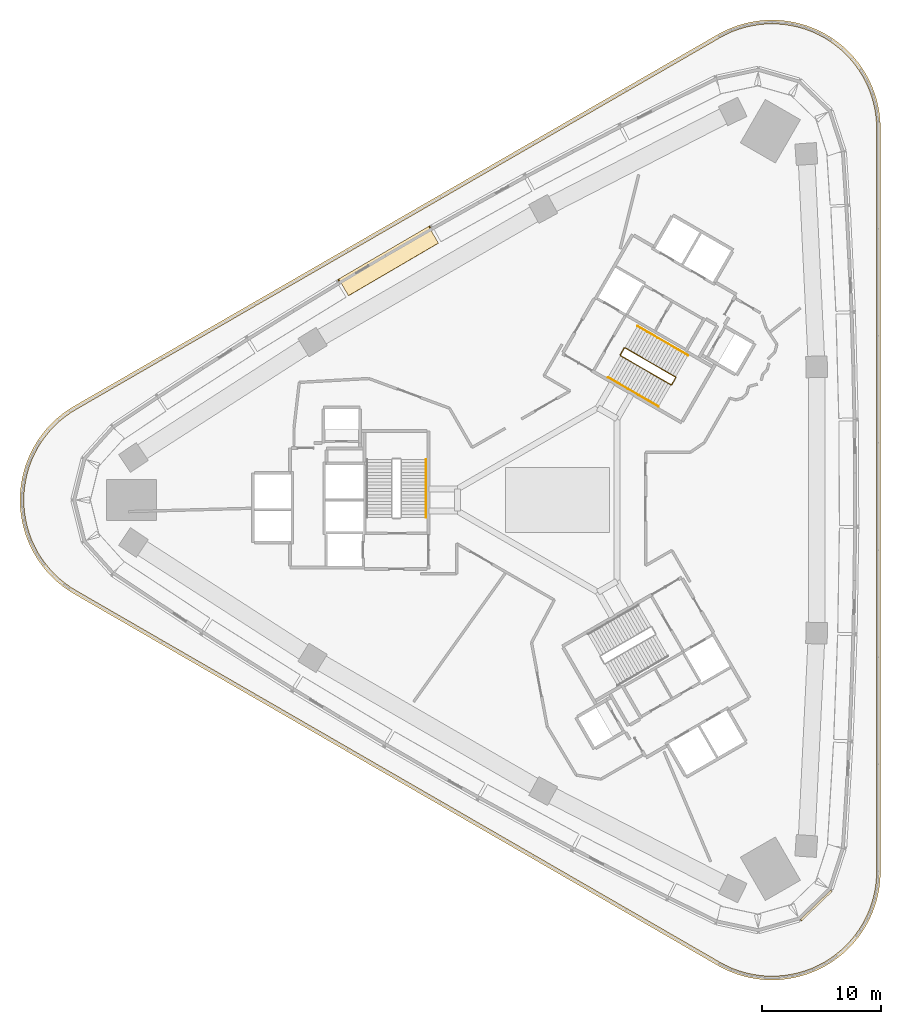
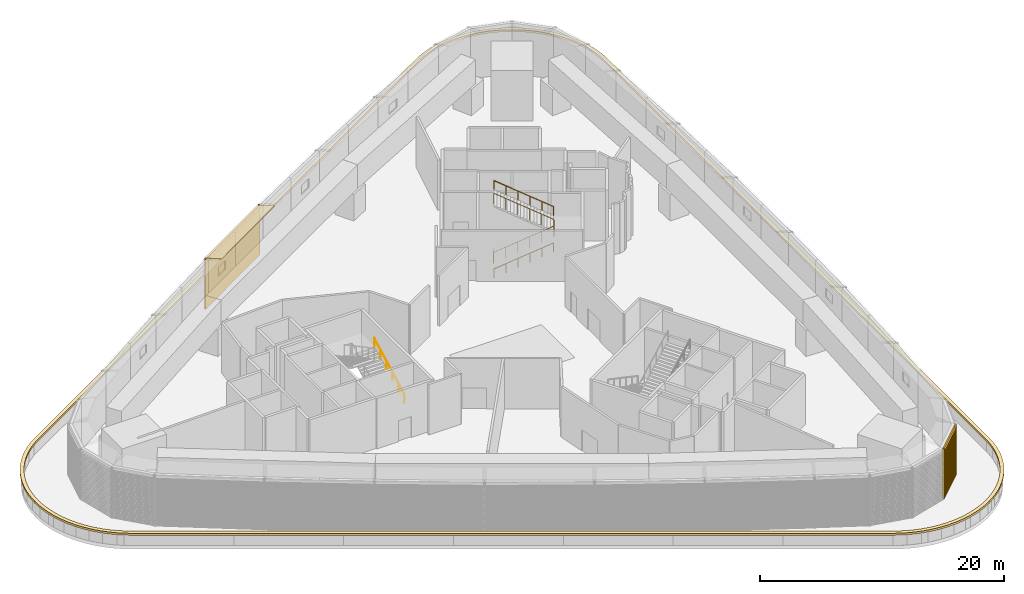
# One storey, part 10 of 11: 4 coverings, 4 railings.
"""IFC4 building model written with IfcOpenShell, lengths in metres."""

import ifcopenshell
import ifcopenshell.guid

model = None  # the IFC model being written
_history = None  # IfcOwnerHistory: only IFC2X3 demands one
_inside = {}  # id of a spatial element -> (the spatial element, [elements in it])
_under = {}  # id of a project, library or spatial element -> (it, [spatial elements below it])
_declared = {}  # id of a project -> (the project, [libraries it declares])
_typed = {}  # id of a type object -> (the type object, [elements of that type])
_made_of = {}  # id of a material, layer set ... -> (it, [elements and type objects made of it])


def new_model(schema):
    """Start an empty IFC model of exactly this schema.

    Asked for "IFC4X3", IfcOpenShell would pick the latest addendum, in which some entities
    have other attributes; the version numbers below select the first issue.
    IFC2X3 requires an IfcOwnerHistory on every rooted entity: one is made here for all.
    """
    global model, _history
    if schema == "IFC4X3":
        model = ifcopenshell.file(schema_version=(4, 3, 0, 0))
    else:
        model = ifcopenshell.file(schema=schema)
    _inside.clear()
    _under.clear()
    _declared.clear()
    _typed.clear()
    _made_of.clear()
    _history = None
    if model.schema == "IFC2X3":
        org = make("IfcOrganization", Name="unknown")
        user = make(
            "IfcPersonAndOrganization",
            ThePerson=make("IfcPerson", FamilyName="unknown"),
            TheOrganization=org,
        )
        app = make(
            "IfcApplication",
            ApplicationDeveloper=org,
            Version="unknown",
            ApplicationFullName="unknown",
            ApplicationIdentifier="unknown",
        )
        _history = make(
            "IfcOwnerHistory",
            OwningUser=user,
            OwningApplication=app,
            ChangeAction="ADDED",
            CreationDate=0,
        )
    return model


def make(cls, **values):
    """One entity of the class cls with the attributes given. An attribute that is None is left unset."""
    return model.create_entity(
        cls, **{name: value for name, value in values.items() if value is not None}
    )


def rooted(cls, **values):
    """An entity with a GlobalId (a new one), such as an element, a storey or a relation."""
    return make(cls, GlobalId=ifcopenshell.guid.new(), OwnerHistory=_history, **values)


def si_unit(unit_type, name, prefix=None):
    """IfcSIUnit, for example si_unit("LENGTHUNIT", "METRE", prefix="MILLI")."""
    return make("IfcSIUnit", UnitType=unit_type, Prefix=prefix, Name=name)


def assignment(units):
    """IfcUnitAssignment: the units of a project."""
    return None if units is None else make("IfcUnitAssignment", Units=units)


def point(xyz):
    """IfcCartesianPoint."""
    return None if xyz is None else make("IfcCartesianPoint", Coordinates=xyz)


def direction(xyz):
    """IfcDirection."""
    return None if xyz is None else make("IfcDirection", DirectionRatios=xyz)


def frame(location, z_axis=None, x_axis=None):
    """IfcAxis2Placement3D, a coordinate frame: its origin and axes. An axis left out is left unset."""
    return make(
        "IfcAxis2Placement3D",
        Location=point(location),
        Axis=direction(z_axis),
        RefDirection=direction(x_axis),
    )


def frame_2d(location, x_axis=None):
    """IfcAxis2Placement2D, a coordinate frame in the plane: its origin and x axis."""
    return make(
        "IfcAxis2Placement2D", Location=point(location), RefDirection=direction(x_axis)
    )


def origin():
    """The frame at (0, 0, 0) with its axes left unset."""
    return frame((0.0, 0.0, 0.0))


def origin_2d():
    """The frame at (0, 0) in the plane with its x axis left unset."""
    return frame_2d((0.0, 0.0))


def place(relative_to, where):
    """IfcLocalPlacement: puts the frame where relative to a parent placement (None: the world)."""
    return make(
        "IfcLocalPlacement", PlacementRelTo=relative_to, RelativePlacement=where
    )


def context(
    kind, dimensions, precision=None, world=None, true_north=None, identifier=None
):
    """IfcGeometricRepresentationContext, for example the 3D "Model" context."""
    return make(
        "IfcGeometricRepresentationContext",
        ContextIdentifier=identifier,
        ContextType=kind,
        CoordinateSpaceDimension=dimensions,
        Precision=precision,
        WorldCoordinateSystem=world,
        TrueNorth=true_north,
    )


def subcontext(parent, identifier, kind, view, scale=None):
    """IfcGeometricRepresentationSubContext, for example "Body" below "Model"."""
    return make(
        "IfcGeometricRepresentationSubContext",
        ContextIdentifier=identifier,
        ContextType=kind,
        ParentContext=parent,
        TargetScale=scale,
        TargetView=view,
    )


def project(units=None, contexts=None):
    """IfcProject with its units and contexts."""
    return rooted(
        "IfcProject",
        Name="project",
        RepresentationContexts=contexts,
        UnitsInContext=assignment(units),
    )


def spatial(cls, under=None, at=None, **own):
    """A site, building, storey or space (cls), placed at a placement, below another one or the project."""
    s = rooted(cls, ObjectPlacement=at, **own)
    if under is not None:
        _under.setdefault(under.id(), (under, []))[1].append(s)
    return s


def polyline(points):
    """IfcPolyline through the points."""
    return make("IfcPolyline", Points=[point(p) for p in points])


def profile(cls, at=None, kind="AREA", **sizes):
    """A parametric profile (cls). Its sizes go by their IFC names, for example OverallWidth=200.0."""
    return make(cls, ProfileType=kind, Position=at, **sizes)


def rectangle(**sizes):
    """IfcRectangleProfileDef."""
    return profile("IfcRectangleProfileDef", **sizes)


def circle(**sizes):
    """IfcCircleProfileDef."""
    return profile("IfcCircleProfileDef", **sizes)


def outline(outer, holes=None, kind="AREA"):
    """IfcArbitraryClosedProfileDef: a profile drawn as a closed curve; with holes, ...WithVoids."""
    if holes is None:
        return make("IfcArbitraryClosedProfileDef", ProfileType=kind, OuterCurve=outer)
    return make(
        "IfcArbitraryProfileDefWithVoids",
        ProfileType=kind,
        OuterCurve=outer,
        InnerCurves=holes,
    )


def extrude(swept, where, along, depth):
    """IfcExtrudedAreaSolid: the profile swept, set in the frame where, extruded along a direction by depth."""
    return make(
        "IfcExtrudedAreaSolid",
        SweptArea=swept,
        Position=where,
        ExtrudedDirection=direction(along),
        Depth=depth,
    )


def shape(context_of_items, identifier, shape_type, items):
    """IfcShapeRepresentation: the items that make up one representation, for example the "Body"."""
    return make(
        "IfcShapeRepresentation",
        ContextOfItems=context_of_items,
        RepresentationIdentifier=identifier,
        RepresentationType=shape_type,
        Items=items,
    )


def source(mapping_origin, context_of_items, identifier, shape_type, items):
    """IfcRepresentationMap: a shape defined once, which mapped items show again and again."""
    return make(
        "IfcRepresentationMap",
        MappingOrigin=mapping_origin,
        MappedRepresentation=shape(context_of_items, identifier, shape_type, items),
    )


def transform(
    local_origin,
    x_axis=None,
    y_axis=None,
    z_axis=None,
    scale=None,
    scale2=None,
    scale3=None,
    uniform=True,
):
    """IfcCartesianTransformationOperator3D, or its non-uniform kind. x_axis, y_axis, z_axis: its Axis1, 2, 3."""
    if uniform:
        return make(
            "IfcCartesianTransformationOperator3D",
            Axis1=direction(x_axis),
            Axis2=direction(y_axis),
            LocalOrigin=point(local_origin),
            Scale=scale,
            Axis3=direction(z_axis),
        )
    return make(
        "IfcCartesianTransformationOperator3DnonUniform",
        Axis1=direction(x_axis),
        Axis2=direction(y_axis),
        LocalOrigin=point(local_origin),
        Scale=scale,
        Axis3=direction(z_axis),
        Scale2=scale2,
        Scale3=scale3,
    )


def mapped(mapping_source, mapping_target):
    """IfcMappedItem: shows the shape of a source again, moved by a transform."""
    return make(
        "IfcMappedItem", MappingSource=mapping_source, MappingTarget=mapping_target
    )


def material(Name=None, Category=None):
    """IfcMaterial."""
    return make("IfcMaterial", Name=Name, Category=Category)


def layer(
    of_material, thickness, ventilated=None, Name=None, Category=None, Priority=None
):
    """IfcMaterialLayer: one layer of a wall or slab, of a material (None: an air gap)."""
    return make(
        "IfcMaterialLayer",
        Material=of_material,
        LayerThickness=thickness,
        IsVentilated=ventilated,
        Name=Name,
        Category=Category,
        Priority=Priority,
    )


def layer_set(layers, Name=None):
    """IfcMaterialLayerSet."""
    return make("IfcMaterialLayerSet", MaterialLayers=layers, LayerSetName=Name)


def made_of(thing, what):
    """Note that an element or type object is made of a material, layer set ...; save() writes the relation."""
    if what is not None:
        _made_of.setdefault(what.id(), (what, []))[1].append(thing)
    return thing


def type_object(cls, material=None, **own):
    """A type object (cls), such as IfcWallType, which elements share."""
    return made_of(rooted(cls, **own), material)


def element(
    cls,
    number,
    at=None,
    inside=None,
    cuts=None,
    type_object=None,
    material=None,
    context=None,
    identifier="Body",
    shape_type=None,
    held_by="IfcProductDefinitionShape",
    body=None,
    shapes=None,
    **own,
):
    """One element of the class cls, such as IfcWall. Its Tag is "e" and its number.

    at: its placement. inside: the storey or other place that contains it. cuts: it is an
    opening in that element (IfcRelVoidsElement). A single representation is given by context,
    identifier, shape_type and body (its items); several are given by shapes. held_by: the class
    of the entity that holds the representations. save() writes the other relations.
    """
    e = rooted(cls, Tag="e%d" % number, ObjectPlacement=at, **own)
    if body is not None:
        shapes = [shape(context, identifier, shape_type, body)]
    if shapes is not None:
        e.Representation = make(held_by, Representations=shapes)
    if inside is not None:
        _inside.setdefault(inside.id(), (inside, []))[1].append(e)
    if cuts is not None:
        rooted(
            "IfcRelVoidsElement", RelatingBuildingElement=cuts, RelatedOpeningElement=e
        )
    if type_object is not None:
        _typed.setdefault(type_object.id(), (type_object, []))[1].append(e)
    return made_of(e, material)


def aggregate(whole, parts):
    """IfcRelAggregates: a whole, such as a stair, and the parts it consists of."""
    return rooted("IfcRelAggregates", RelatingObject=whole, RelatedObjects=parts)


def save(model, path):
    """Write the relations noted so far, then the file.

    IfcRelAggregates (storeys below a building ...), IfcRelContainedInSpatialStructure (elements
    in a storey), IfcRelDefinesByType, IfcRelAssociatesMaterial and IfcRelDeclares: one each for
    every whole, place, type object, material and project.
    """
    for whole, parts in _under.values():
        aggregate(whole, parts)
    for where, things in _inside.values():
        rooted(
            "IfcRelContainedInSpatialStructure",
            RelatedElements=things,
            RelatingStructure=where,
        )
    for kind, things in _typed.values():
        rooted("IfcRelDefinesByType", RelatedObjects=things, RelatingType=kind)
    for what, things in _made_of.values():
        rooted("IfcRelAssociatesMaterial", RelatedObjects=things, RelatingMaterial=what)
    for by, libraries in _declared.values():
        rooted("IfcRelDeclares", RelatingContext=by, RelatedDefinitions=libraries)
    model.write(path)


model = new_model("IFC4")

# Units and contexts
model_context = context("Model", 3, precision=1e-05, world=origin(), true_north=direction((0.0, 1.0)))
body_context = subcontext(model_context, "Body", "Model", "MODEL_VIEW")
ifc_project = project(units=[si_unit("LENGTHUNIT", "METRE"), si_unit("AREAUNIT", "SQUARE_METRE"), si_unit("VOLUMEUNIT", "CUBIC_METRE"), si_unit("PLANEANGLEUNIT", "RADIAN"), si_unit("MASSUNIT", "GRAM", prefix="KILO")], contexts=[model_context])

# Site, building, storey
site_placement = place(None, origin())
site = spatial("IfcSite", under=ifc_project, at=site_placement, CompositionType="ELEMENT")
building_placement = place(site_placement, origin())
building = spatial("IfcBuilding", under=site, at=building_placement, Name="Tamra Quay Hotel Tower", CompositionType="ELEMENT")
storey_placement = place(building_placement, frame((0.0, 0.0, 29.5)))
storey = spatial("IfcBuildingStorey", under=building, at=storey_placement, Name="L05", CompositionType="ELEMENT", Elevation=29.5)

# Covering
ifc_material_1 = material(Name="Precast concrete M60 terracotta-coloured cornice", Category="masonry")
ifc_layer_1 = layer(ifc_material_1, 0.199951171875)
ifc_layer_set_1 = layer_set([ifc_layer_1], Name="PODIUM COPING 330X200")
covering_type_1 = type_object("IfcCoveringType", Name="PODIUM COPING 330X200", PredefinedType="MOLDING", material=ifc_layer_set_1)
covering_1_placement = place(storey_placement, frame((0.0, 0.0, 1.10009765625)))
element("IfcCovering", 1, at=covering_1_placement, inside=storey, type_object=covering_type_1, Name="Podium parapet coping", PredefinedType="MOLDING", context=body_context, shape_type="SweptSolid", body=[
    extrude(outline(polyline([(13.97509765625, 39.33837890625), (13.451416015625, 39.05859375), (-40.551513671875, 7.8798828125), (-41.0556640625, 7.56640625), (-41.539794921875, 7.219482421875), (-42.0, 6.841796875), (-42.434814453125, 6.434814453125), (-42.841796875, 6.0), (-43.219482421875, 5.539794921875), (-43.56640625, 5.0556640625), (-43.880859375, 4.550048828125), (-44.16162109375, 4.02490234375), (-44.407470703125, 3.482421875), (-44.6171875, 2.925048828125), (-44.7900390625, 2.355224609375), (-44.92529296875, 1.775390625), (-45.022216796875, 1.187744140625), (-45.08056640625, 0.59521484375), (-45.10009765625, 0.0), (-45.08056640625, -0.59521484375), (-45.022216796875, -1.187744140625), (-44.92529296875, -1.775390625), (-44.7900390625, -2.355224609375), (-44.6171875, -2.925048828125), (-44.407470703125, -3.482421875), (-44.16162109375, -4.02490234375), (-43.880859375, -4.550048828125), (-43.56640625, -5.0556640625), (-43.219482421875, -5.539794921875), (-42.841796875, -6.0), (-42.434814453125, -6.434814453125), (-42.0, -6.841796875), (-41.539794921875, -7.219482421875), (-41.0556640625, -7.56640625), (-40.551513671875, -7.8798828125), (13.451416015625, -39.05859375), (13.97509765625, -39.33837890625), (14.517578125, -39.584228515625), (15.074951171875, -39.7939453125), (15.644775390625, -39.966796875), (16.224609375, -40.10205078125), (16.812255859375, -40.19921875), (17.40478515625, -40.257568359375), (18.0, -40.277099609375), (18.59521484375, -40.257568359375), (19.187744140625, -40.19921875), (19.775390625, -40.10205078125), (20.355224609375, -39.966796875), (20.925048828125, -39.7939453125), (21.482421875, -39.584228515625), (22.02490234375, -39.33837890625), (22.550048828125, -39.057861328125), (23.0556640625, -38.743408203125), (23.539794921875, -38.396484375), (24.0, -38.018798828125), (24.434814453125, -37.611572265625), (24.841796875, -37.177001953125), (25.219482421875, -36.716796875), (25.56640625, -36.232666015625), (25.880859375, -35.726806640625), (26.16162109375, -35.201904296875), (26.407470703125, -34.659423828125), (26.6171875, -34.10205078125), (26.7900390625, -33.5322265625), (26.92529296875, -32.9521484375), (27.022216796875, -32.36474609375), (27.08056640625, -31.772216796875), (27.10009765625, -31.1787109375), (27.10009765625, 31.1787109375), (27.08056640625, 31.772216796875), (27.022216796875, 32.36474609375), (26.92529296875, 32.9521484375), (26.7900390625, 33.5322265625), (26.6171875, 34.10205078125), (26.407470703125, 34.659423828125), (26.16162109375, 35.201904296875), (25.880859375, 35.726806640625), (25.56640625, 36.232666015625), (25.219482421875, 36.716796875), (24.841796875, 37.177001953125), (24.434814453125, 37.611572265625), (24.0, 38.018798828125), (23.539794921875, 38.396484375), (23.0556640625, 38.743408203125), (22.550048828125, 39.057861328125), (22.02490234375, 39.33837890625), (21.482421875, 39.584228515625), (20.925048828125, 39.7939453125), (20.355224609375, 39.966796875), (19.775390625, 40.10205078125), (19.187744140625, 40.19921875), (18.59521484375, 40.257568359375), (18.0, 40.277099609375), (17.40478515625, 40.257568359375), (16.812255859375, 40.19921875), (16.224609375, 40.10205078125), (15.644775390625, 39.966796875), (15.074951171875, 39.7939453125), (14.517578125, 39.584228515625), (13.97509765625, 39.33837890625)]), holes=[polyline([(-40.381591796875, 7.596923828125), (-40.872314453125, 7.2919921875), (-41.3388671875, 6.95751953125), (-41.782470703125, 6.593505859375), (-42.201171875, 6.201171875), (-42.593505859375, 5.782470703125), (-42.95751953125, 5.3388671875), (-43.2919921875, 4.872314453125), (-43.594970703125, 4.385009765625), (-43.865478515625, 3.87890625), (-44.102294921875, 3.356201171875), (-44.304443359375, 2.819091796875), (-44.47119140625, 2.269775390625), (-44.601318359375, 1.7109375), (-44.69482421875, 1.144775390625), (-44.751220703125, 0.573486328125), (-44.77001953125, 0.0), (-44.751220703125, -0.573486328125), (-44.69482421875, -1.144775390625), (-44.601318359375, -1.7109375), (-44.47119140625, -2.269775390625), (-44.304443359375, -2.819091796875), (-44.102294921875, -3.356201171875), (-43.865478515625, -3.87890625), (-43.594970703125, -4.385009765625), (-43.2919921875, -4.872314453125), (-42.95751953125, -5.3388671875), (-42.593505859375, -5.782470703125), (-42.201171875, -6.201171875), (-41.782470703125, -6.593505859375), (-41.3388671875, -6.95751953125), (-40.872314453125, -7.2919921875), (-40.381591796875, -7.596923828125), (13.61181640625, -38.77001953125), (14.12109375, -39.04248046875), (14.643798828125, -39.279296875), (15.180908203125, -39.4814453125), (15.730224609375, -39.64794921875), (16.2890625, -39.7783203125), (16.855224609375, -39.871826171875), (17.426513671875, -39.927978515625), (18.0, -39.94677734375), (18.573486328125, -39.927978515625), (19.144775390625, -39.871826171875), (19.7109375, -39.7783203125), (20.269775390625, -39.64794921875), (20.819091796875, -39.4814453125), (21.356201171875, -39.279296875), (21.87890625, -39.04248046875), (22.385009765625, -38.77197265625), (22.872314453125, -38.46875), (23.3388671875, -38.134521484375), (23.782470703125, -37.7705078125), (24.201171875, -37.378173828125), (24.593505859375, -36.959228515625), (24.95751953125, -36.515625), (25.2919921875, -36.04931640625), (25.594970703125, -35.56201171875), (25.865478515625, -35.0556640625), (26.102294921875, -34.532958984375), (26.304443359375, -33.995849609375), (26.47119140625, -33.44677734375), (26.601318359375, -32.8876953125), (26.69482421875, -32.321533203125), (26.751220703125, -31.75048828125), (26.77001953125, -31.173095703125), (26.77001953125, 31.173095703125), (26.751220703125, 31.75048828125), (26.69482421875, 32.321533203125), (26.601318359375, 32.8876953125), (26.47119140625, 33.44677734375), (26.304443359375, 33.995849609375), (26.102294921875, 34.532958984375), (25.865478515625, 35.0556640625), (25.594970703125, 35.56201171875), (25.2919921875, 36.04931640625), (24.95751953125, 36.515625), (24.593505859375, 36.959228515625), (24.201171875, 37.378173828125), (23.782470703125, 37.7705078125), (23.3388671875, 38.134521484375), (22.872314453125, 38.46875), (22.385009765625, 38.77197265625), (21.87890625, 39.04248046875), (21.356201171875, 39.279296875), (20.819091796875, 39.4814453125), (20.269775390625, 39.64794921875), (19.7109375, 39.7783203125), (19.144775390625, 39.871826171875), (18.573486328125, 39.927978515625), (18.0, 39.94677734375), (17.426513671875, 39.927978515625), (16.855224609375, 39.871826171875), (16.2890625, 39.7783203125), (15.730224609375, 39.64794921875), (15.180908203125, 39.4814453125), (14.643798828125, 39.279296875), (14.12109375, 39.04248046875), (13.61181640625, 38.77001953125), (-40.381591796875, 7.596923828125)])]), origin(), (0.0, 0.0, 1.0), 0.199951171875),
])

# Railings
ifc_material_2 = material(Name="Stair guard 1100")
railing_type_1 = type_object("IfcRailingType", Name="Stair guard 1100", PredefinedType="GUARDRAIL", material=ifc_material_2)
railing_1_placement = place(storey_placement, frame((5.595458984375, 12.751953125, 0.0)))
element("IfcRailing", 2, at=railing_1_placement, inside=storey, type_object=railing_type_1, Name="GR", PredefinedType="GUARDRAIL", context=body_context, shape_type="SweptSolid", body=[
    extrude(circle(Radius=0.02392578125, at=origin_2d()), frame((0.0, 0.0, 1.076171875), z_axis=(-0.499765215335, -0.866160914346, 0.0), x_axis=(0.866160914346, -0.499765215335, 0.0)), (0.0, 0.0, 1.0), 0.658935546875),
    extrude(circle(Radius=0.02392578125, at=origin_2d()), frame((-0.329345703125, -0.57080078125, 1.076171875), z_axis=(0.113699678262, -0.422962803135, 0.898985456126), x_axis=(0.965715946433, 0.259601060869, 0.0)), (0.0, 0.0, 1.0), 0.1611328125),
    extrude(circle(Radius=0.02392578125, at=origin_2d()), frame((-0.31103515625, -0.638916015625, 1.220703125), z_axis=(0.764522017745, -0.441403942646, 0.469753811905), x_axis=(0.500005904428, 0.866021994834, 0.0)), (0.0, 0.0, 1.0), 5.5458984375),
    extrude(circle(Radius=0.02392578125, at=origin_2d()), frame((3.928955078125, -3.0869140625, 3.826171875), z_axis=(0.965948051503, 0.258736085224, 0.0), x_axis=(-0.258736085224, 0.965948051503, 0.0)), (0.0, 0.0, 1.0), 0.07080078125),
    extrude(circle(Radius=0.02392578125, at=origin_2d()), frame((3.997314453125, -3.068603515625, 3.826171875), z_axis=(0.499925626596, 0.866068339032, 0.0), x_axis=(-0.866068339032, 0.499925626596, 0.0)), (0.0, 0.0, 1.0), 0.65869140625),
    extrude(circle(Radius=0.02392578125, at=origin_2d()), frame((4.32666015625, -2.498046875, 3.826171875), z_axis=(-0.113626712558, 0.424206393549, 0.898408540624), x_axis=(-0.965948051503, -0.258736085224, 0.0)), (0.0, 0.0, 1.0), 0.1611328125),
    extrude(circle(Radius=0.02392578125, at=origin_2d()), frame((4.308349609375, -2.4296875, 3.970703125), z_axis=(-0.764522017745, 0.441403942646, 0.469753811905), x_axis=(-0.500005904428, -0.866021994834, 0.0)), (0.0, 0.0, 1.0), 5.5458984375),
    extrude(circle(Radius=0.02099609375, at=origin_2d()), origin(), (0.0, 0.0, 1.0), 1.052001953125),
    extrude(circle(Radius=0.02099609375, at=origin_2d()), frame((-0.329345703125, -0.57080078125, 0.0)), (0.0, 0.0, 1.0), 1.052001953125),
    extrude(circle(Radius=0.02099609375, at=origin_2d()), frame((-0.31103515625, -0.638916015625, 0.144775390625)), (0.0, 0.0, 1.0), 1.052001953125),
    extrude(circle(Radius=0.02099609375, at=origin_2d()), frame((0.536865234375, -1.12841796875, 0.665771484375)), (0.0, 0.0, 1.0), 1.052001953125),
    extrude(circle(Radius=0.02099609375, at=origin_2d()), frame((1.385009765625, -1.6181640625, 1.186767578125)), (0.0, 0.0, 1.0), 1.052001953125),
    extrude(circle(Radius=0.02099609375, at=origin_2d()), frame((2.23291015625, -2.107666015625, 1.7080078125)), (0.0, 0.0, 1.0), 1.052001953125),
    extrude(circle(Radius=0.02099609375, at=origin_2d()), frame((3.0810546875, -2.597412109375, 2.22900390625)), (0.0, 0.0, 1.0), 1.052001953125),
    extrude(circle(Radius=0.02099609375, at=origin_2d()), frame((3.928955078125, -3.0869140625, 2.75)), (0.0, 0.0, 1.0), 1.052001953125),
    extrude(circle(Radius=0.02099609375, at=origin_2d()), frame((3.997314453125, -3.068603515625, 2.75)), (0.0, 0.0, 1.0), 1.052001953125),
    extrude(circle(Radius=0.02099609375, at=origin_2d()), frame((4.32666015625, -2.498046875, 2.75)), (0.0, 0.0, 1.0), 1.052001953125),
    extrude(circle(Radius=0.02099609375, at=origin_2d()), frame((4.308349609375, -2.4296875, 2.894775390625)), (0.0, 0.0, 1.0), 1.052001953125),
    extrude(circle(Radius=0.02099609375, at=origin_2d()), frame((3.46044921875, -1.940185546875, 3.415771484375)), (0.0, 0.0, 1.0), 1.052001953125),
    extrude(circle(Radius=0.02099609375, at=origin_2d()), frame((2.6123046875, -1.450439453125, 3.936767578125)), (0.0, 0.0, 1.0), 1.052001953125),
    extrude(circle(Radius=0.02099609375, at=origin_2d()), frame((1.764404296875, -0.9609375, 4.4580078125)), (0.0, 0.0, 1.0), 1.052001953125),
    extrude(circle(Radius=0.02099609375, at=origin_2d()), frame((0.916259765625, -0.47119140625, 4.97900390625)), (0.0, 0.0, 1.0), 1.052001953125),
    extrude(circle(Radius=0.02099609375, at=origin_2d()), frame((0.068359375, 0.018310546875, 5.5)), (0.0, 0.0, 1.0), 1.052001953125),
])
ifc_material_3 = material(Name="Stair handrail 900")
railing_type_2 = type_object("IfcRailingType", Name="Stair handrail 900", PredefinedType="HANDRAIL", material=ifc_material_3)
railing_2_placement = place(storey_placement, frame((-11.0322265625, -1.47998046875, 0.144775390625)))
element("IfcRailing", 3, at=railing_2_placement, inside=storey, type_object=railing_type_2, Name="HR", PredefinedType="HANDRAIL", context=body_context, shape_type="SweptSolid", body=[
    extrude(circle(Radius=0.02392578125, at=origin_2d()), frame((0.0, 0.0, 0.8759765625), z_axis=(0.0, 0.882799760864, 0.469749488789), x_axis=(-1.0, 0.0, 0.0)), (0.0, 0.0, 1.0), 5.5458984375),
    extrude(circle(Radius=0.02099609375, at=origin_2d()), origin(), (0.0, 0.0, 1.0), 0.851806640625),
    extrude(circle(Radius=0.02099609375, at=origin_2d()), frame((0.0, 0.979248046875, 0.52099609375)), (0.0, 0.0, 1.0), 0.851806640625),
    extrude(circle(Radius=0.02099609375, at=origin_2d()), frame((0.0, 1.95849609375, 1.0419921875)), (0.0, 0.0, 1.0), 0.851806640625),
    extrude(circle(Radius=0.02099609375, at=origin_2d()), frame((0.0, 2.9375, 1.563232421875)), (0.0, 0.0, 1.0), 0.851806640625),
    extrude(circle(Radius=0.02099609375, at=origin_2d()), frame((0.0, 3.916748046875, 2.084228515625)), (0.0, 0.0, 1.0), 0.851806640625),
    extrude(circle(Radius=0.02099609375, at=origin_2d()), frame((0.0, 4.89599609375, 2.605224609375)), (0.0, 0.0, 1.0), 0.851806640625),
])
railing_3_placement = place(storey_placement, frame((4.234375, 10.294189453125, 0.144775390625)))
element("IfcRailing", 4, at=railing_3_placement, inside=storey, type_object=railing_type_2, Name="HR", PredefinedType="HANDRAIL", context=body_context, shape_type="SweptSolid", body=[
    extrude(circle(Radius=0.02392578125, at=origin_2d()), frame((0.0, 0.0, 0.8759765625), z_axis=(0.764522017745, -0.441403942646, 0.469753811905), x_axis=(0.500005904428, 0.866021994834, 0.0)), (0.0, 0.0, 1.0), 5.5458984375),
    extrude(circle(Radius=0.02099609375, at=origin_2d()), origin(), (0.0, 0.0, 1.0), 0.851806640625),
    extrude(circle(Radius=0.02099609375, at=origin_2d()), frame((0.847900390625, -0.489501953125, 0.52099609375)), (0.0, 0.0, 1.0), 0.851806640625),
    extrude(circle(Radius=0.02099609375, at=origin_2d()), frame((1.696044921875, -0.979248046875, 1.0419921875)), (0.0, 0.0, 1.0), 0.851806640625),
    extrude(circle(Radius=0.02099609375, at=origin_2d()), frame((2.5439453125, -1.46875, 1.563232421875)), (0.0, 0.0, 1.0), 0.851806640625),
    extrude(circle(Radius=0.02099609375, at=origin_2d()), frame((3.39208984375, -1.95849609375, 2.084228515625)), (0.0, 0.0, 1.0), 0.851806640625),
    extrude(circle(Radius=0.02099609375, at=origin_2d()), frame((4.239990234375, -2.447998046875, 2.605224609375)), (0.0, 0.0, 1.0), 0.851806640625),
])
railing_4_placement = place(storey_placement, frame((10.953857421875, 12.140869140625, 2.894775390625)))
element("IfcRailing", 5, at=railing_4_placement, inside=storey, type_object=railing_type_2, Name="HR", PredefinedType="HANDRAIL", context=body_context, shape_type="SweptSolid", body=[
    extrude(circle(Radius=0.02392578125, at=origin_2d()), frame((0.0, 0.0, 0.8759765625), z_axis=(-0.764522017745, 0.441403942646, 0.469753811905), x_axis=(-0.500005904428, -0.866021994834, 0.0)), (0.0, 0.0, 1.0), 5.5458984375),
    extrude(circle(Radius=0.02099609375, at=origin_2d()), origin(), (0.0, 0.0, 1.0), 0.851806640625),
    extrude(circle(Radius=0.02099609375, at=origin_2d()), frame((-0.847900390625, 0.489501953125, 0.52099609375)), (0.0, 0.0, 1.0), 0.851806640625),
    extrude(circle(Radius=0.02099609375, at=origin_2d()), frame((-1.696044921875, 0.979248046875, 1.0419921875)), (0.0, 0.0, 1.0), 0.851806640625),
    extrude(circle(Radius=0.02099609375, at=origin_2d()), frame((-2.5439453125, 1.46875, 1.563232421875)), (0.0, 0.0, 1.0), 0.851806640625),
    extrude(circle(Radius=0.02099609375, at=origin_2d()), frame((-3.39208984375, 1.95849609375, 2.084228515625)), (0.0, 0.0, 1.0), 0.851806640625),
    extrude(circle(Radius=0.02099609375, at=origin_2d()), frame((-4.239990234375, 2.447998046875, 2.605224609375)), (0.0, 0.0, 1.0), 0.851806640625),
])

# Coverings
ifc_material_4 = material(Name="Terracotta louvre panel", Category="masonry")
covering_type_2 = type_object("IfcCoveringType", Name="PLANT LOUVRE H5025", PredefinedType="USERDEFINED", material=ifc_material_4)
shared_shape_1 = source(origin(), body_context, "Body", "SweptSolid", [
    extrude(rectangle(XDim=8.97998046875, YDim=0.030029296875, at=frame_2d((4.489990234375, 0.01513671875))), frame((-4.489990234375, -0.030029296875, 0.0)), (0.0, 0.0, 1.0), 5.02490234375),
    extrude(rectangle(XDim=0.050048828125, YDim=0.139892578125, at=frame_2d((0.02490234375, 0.06982421875))), frame((-4.489990234375, -0.169921875, 0.0)), (0.0, 0.0, 1.0), 5.02490234375),
    extrude(rectangle(XDim=0.050048828125, YDim=0.139892578125, at=frame_2d((0.02490234375, 0.06982421875))), frame((4.43994140625, -0.169921875, 0.0)), (0.0, 0.0, 1.0), 5.02490234375),
    extrude(rectangle(XDim=8.8798828125, YDim=0.139892578125, at=frame_2d((4.43994140625, 0.06982421875))), frame((-4.43994140625, -0.169921875, 0.050048828125)), (0.0, 0.0, 1.0), 0.034912109375),
    extrude(rectangle(XDim=8.8798828125, YDim=0.139892578125, at=frame_2d((4.43994140625, 0.06982421875))), frame((-4.43994140625, -0.169921875, 0.2099609375)), (0.0, 0.0, 1.0), 0.034912109375),
    extrude(rectangle(XDim=8.8798828125, YDim=0.139892578125, at=frame_2d((4.43994140625, 0.06982421875))), frame((-4.43994140625, -0.169921875, 0.3701171875)), (0.0, 0.0, 1.0), 0.034912109375),
    extrude(rectangle(XDim=8.8798828125, YDim=0.139892578125, at=frame_2d((4.43994140625, 0.06982421875))), frame((-4.43994140625, -0.169921875, 0.530029296875)), (0.0, 0.0, 1.0), 0.034912109375),
    extrude(rectangle(XDim=8.8798828125, YDim=0.139892578125, at=frame_2d((4.43994140625, 0.06982421875))), frame((-4.43994140625, -0.169921875, 0.68994140625)), (0.0, 0.0, 1.0), 0.034912109375),
    extrude(rectangle(XDim=8.8798828125, YDim=0.139892578125, at=frame_2d((4.43994140625, 0.06982421875))), frame((-4.43994140625, -0.169921875, 0.85009765625)), (0.0, 0.0, 1.0), 0.034912109375),
    extrude(rectangle(XDim=8.8798828125, YDim=0.139892578125, at=frame_2d((4.43994140625, 0.06982421875))), frame((-4.43994140625, -0.169921875, 1.010009765625)), (0.0, 0.0, 1.0), 0.034912109375),
    extrude(rectangle(XDim=8.8798828125, YDim=0.139892578125, at=frame_2d((4.43994140625, 0.06982421875))), frame((-4.43994140625, -0.169921875, 1.169921875)), (0.0, 0.0, 1.0), 0.034912109375),
    extrude(rectangle(XDim=8.8798828125, YDim=0.139892578125, at=frame_2d((4.43994140625, 0.06982421875))), frame((-4.43994140625, -0.169921875, 1.330078125)), (0.0, 0.0, 1.0), 0.034912109375),
    extrude(rectangle(XDim=8.8798828125, YDim=0.139892578125, at=frame_2d((4.43994140625, 0.06982421875))), frame((-4.43994140625, -0.169921875, 1.489990234375)), (0.0, 0.0, 1.0), 0.034912109375),
    extrude(rectangle(XDim=8.8798828125, YDim=0.139892578125, at=frame_2d((4.43994140625, 0.06982421875))), frame((-4.43994140625, -0.169921875, 1.64990234375)), (0.0, 0.0, 1.0), 0.034912109375),
    extrude(rectangle(XDim=8.8798828125, YDim=0.139892578125, at=frame_2d((4.43994140625, 0.06982421875))), frame((-4.43994140625, -0.169921875, 1.81005859375)), (0.0, 0.0, 1.0), 0.034912109375),
    extrude(rectangle(XDim=8.8798828125, YDim=0.139892578125, at=frame_2d((4.43994140625, 0.06982421875))), frame((-4.43994140625, -0.169921875, 1.969970703125)), (0.0, 0.0, 1.0), 0.034912109375),
    extrude(rectangle(XDim=8.8798828125, YDim=0.139892578125, at=frame_2d((4.43994140625, 0.06982421875))), frame((-4.43994140625, -0.169921875, 2.1298828125)), (0.0, 0.0, 1.0), 0.034912109375),
    extrude(rectangle(XDim=8.8798828125, YDim=0.139892578125, at=frame_2d((4.43994140625, 0.06982421875))), frame((-4.43994140625, -0.169921875, 2.2900390625)), (0.0, 0.0, 1.0), 0.034912109375),
    extrude(rectangle(XDim=8.8798828125, YDim=0.139892578125, at=frame_2d((4.43994140625, 0.06982421875))), frame((-4.43994140625, -0.169921875, 2.449951171875)), (0.0, 0.0, 1.0), 0.034912109375),
    extrude(rectangle(XDim=8.8798828125, YDim=0.139892578125, at=frame_2d((4.43994140625, 0.06982421875))), frame((-4.43994140625, -0.169921875, 2.610107421875)), (0.0, 0.0, 1.0), 0.034912109375),
    extrude(rectangle(XDim=8.8798828125, YDim=0.139892578125, at=frame_2d((4.43994140625, 0.06982421875))), frame((-4.43994140625, -0.169921875, 2.77001953125)), (0.0, 0.0, 1.0), 0.034912109375),
    extrude(rectangle(XDim=8.8798828125, YDim=0.139892578125, at=frame_2d((4.43994140625, 0.06982421875))), frame((-4.43994140625, -0.169921875, 2.929931640625)), (0.0, 0.0, 1.0), 0.034912109375),
    extrude(rectangle(XDim=8.8798828125, YDim=0.139892578125, at=frame_2d((4.43994140625, 0.06982421875))), frame((-4.43994140625, -0.169921875, 3.090087890625)), (0.0, 0.0, 1.0), 0.034912109375),
    extrude(rectangle(XDim=8.8798828125, YDim=0.139892578125, at=frame_2d((4.43994140625, 0.06982421875))), frame((-4.43994140625, -0.169921875, 3.25)), (0.0, 0.0, 1.0), 0.034912109375),
    extrude(rectangle(XDim=8.8798828125, YDim=0.139892578125, at=frame_2d((4.43994140625, 0.06982421875))), frame((-4.43994140625, -0.169921875, 3.409912109375)), (0.0, 0.0, 1.0), 0.034912109375),
    extrude(rectangle(XDim=8.8798828125, YDim=0.139892578125, at=frame_2d((4.43994140625, 0.06982421875))), frame((-4.43994140625, -0.169921875, 3.570068359375)), (0.0, 0.0, 1.0), 0.034912109375),
    extrude(rectangle(XDim=8.8798828125, YDim=0.139892578125, at=frame_2d((4.43994140625, 0.06982421875))), frame((-4.43994140625, -0.169921875, 3.72998046875)), (0.0, 0.0, 1.0), 0.034912109375),
    extrude(rectangle(XDim=8.8798828125, YDim=0.139892578125, at=frame_2d((4.43994140625, 0.06982421875))), frame((-4.43994140625, -0.169921875, 3.889892578125)), (0.0, 0.0, 1.0), 0.034912109375),
    extrude(rectangle(XDim=8.8798828125, YDim=0.139892578125, at=frame_2d((4.43994140625, 0.06982421875))), frame((-4.43994140625, -0.169921875, 4.050048828125)), (0.0, 0.0, 1.0), 0.034912109375),
    extrude(rectangle(XDim=8.8798828125, YDim=0.139892578125, at=frame_2d((4.43994140625, 0.06982421875))), frame((-4.43994140625, -0.169921875, 4.2099609375)), (0.0, 0.0, 1.0), 0.034912109375),
    extrude(rectangle(XDim=8.8798828125, YDim=0.139892578125, at=frame_2d((4.43994140625, 0.06982421875))), frame((-4.43994140625, -0.169921875, 4.3701171875)), (0.0, 0.0, 1.0), 0.034912109375),
    extrude(rectangle(XDim=8.8798828125, YDim=0.139892578125, at=frame_2d((4.43994140625, 0.06982421875))), frame((-4.43994140625, -0.169921875, 4.530029296875)), (0.0, 0.0, 1.0), 0.034912109375),
    extrude(rectangle(XDim=8.8798828125, YDim=0.139892578125, at=frame_2d((4.43994140625, 0.06982421875))), frame((-4.43994140625, -0.169921875, 4.68994140625)), (0.0, 0.0, 1.0), 0.034912109375),
])
covering_2_placement = place(storey_placement, frame((-14.49755859375, 20.606201171875, 0.0), z_axis=(0.0, 0.0, 1.0), x_axis=(-0.863303806194, -0.504684592801, 0.0)))
element("IfcCovering", 6, at=covering_2_placement, inside=storey, type_object=covering_type_2, Name="Plant louvre L05.NW.f06", ObjectType="LOUVER", PredefinedType="USERDEFINED", context=body_context, shape_type="MappedRepresentation", body=[
    mapped(shared_shape_1, transform((0.0, 0.0, 0.0), scale=1.0)),
])
shared_shape_2 = source(origin(), body_context, "Body", "SweptSolid", [
    extrude(rectangle(XDim=3.60009765625, YDim=0.030029296875, at=frame_2d((1.800048828125, 0.01513671875))), frame((-1.800048828125, -0.030029296875, 0.0)), (0.0, 0.0, 1.0), 5.02490234375),
    extrude(rectangle(XDim=0.050048828125, YDim=0.139892578125, at=frame_2d((0.02490234375, 0.06982421875))), frame((-1.800048828125, -0.169921875, 0.0)), (0.0, 0.0, 1.0), 5.02490234375),
    extrude(rectangle(XDim=0.050048828125, YDim=0.139892578125, at=frame_2d((0.02490234375, 0.06982421875))), frame((1.75, -0.169921875, 0.0)), (0.0, 0.0, 1.0), 5.02490234375),
    extrude(rectangle(XDim=3.5, YDim=0.139892578125, at=frame_2d((1.75, 0.06982421875))), frame((-1.75, -0.169921875, 0.050048828125)), (0.0, 0.0, 1.0), 0.034912109375),
    extrude(rectangle(XDim=3.5, YDim=0.139892578125, at=frame_2d((1.75, 0.06982421875))), frame((-1.75, -0.169921875, 0.2099609375)), (0.0, 0.0, 1.0), 0.034912109375),
    extrude(rectangle(XDim=3.5, YDim=0.139892578125, at=frame_2d((1.75, 0.06982421875))), frame((-1.75, -0.169921875, 0.3701171875)), (0.0, 0.0, 1.0), 0.034912109375),
    extrude(rectangle(XDim=3.5, YDim=0.139892578125, at=frame_2d((1.75, 0.06982421875))), frame((-1.75, -0.169921875, 0.530029296875)), (0.0, 0.0, 1.0), 0.034912109375),
    extrude(rectangle(XDim=3.5, YDim=0.139892578125, at=frame_2d((1.75, 0.06982421875))), frame((-1.75, -0.169921875, 0.68994140625)), (0.0, 0.0, 1.0), 0.034912109375),
    extrude(rectangle(XDim=3.5, YDim=0.139892578125, at=frame_2d((1.75, 0.06982421875))), frame((-1.75, -0.169921875, 0.85009765625)), (0.0, 0.0, 1.0), 0.034912109375),
    extrude(rectangle(XDim=3.5, YDim=0.139892578125, at=frame_2d((1.75, 0.06982421875))), frame((-1.75, -0.169921875, 1.010009765625)), (0.0, 0.0, 1.0), 0.034912109375),
    extrude(rectangle(XDim=3.5, YDim=0.139892578125, at=frame_2d((1.75, 0.06982421875))), frame((-1.75, -0.169921875, 1.169921875)), (0.0, 0.0, 1.0), 0.034912109375),
    extrude(rectangle(XDim=3.5, YDim=0.139892578125, at=frame_2d((1.75, 0.06982421875))), frame((-1.75, -0.169921875, 1.330078125)), (0.0, 0.0, 1.0), 0.034912109375),
    extrude(rectangle(XDim=3.5, YDim=0.139892578125, at=frame_2d((1.75, 0.06982421875))), frame((-1.75, -0.169921875, 1.489990234375)), (0.0, 0.0, 1.0), 0.034912109375),
    extrude(rectangle(XDim=3.5, YDim=0.139892578125, at=frame_2d((1.75, 0.06982421875))), frame((-1.75, -0.169921875, 1.64990234375)), (0.0, 0.0, 1.0), 0.034912109375),
    extrude(rectangle(XDim=3.5, YDim=0.139892578125, at=frame_2d((1.75, 0.06982421875))), frame((-1.75, -0.169921875, 1.81005859375)), (0.0, 0.0, 1.0), 0.034912109375),
    extrude(rectangle(XDim=3.5, YDim=0.139892578125, at=frame_2d((1.75, 0.06982421875))), frame((-1.75, -0.169921875, 1.969970703125)), (0.0, 0.0, 1.0), 0.034912109375),
    extrude(rectangle(XDim=3.5, YDim=0.139892578125, at=frame_2d((1.75, 0.06982421875))), frame((-1.75, -0.169921875, 2.1298828125)), (0.0, 0.0, 1.0), 0.034912109375),
    extrude(rectangle(XDim=3.5, YDim=0.139892578125, at=frame_2d((1.75, 0.06982421875))), frame((-1.75, -0.169921875, 2.2900390625)), (0.0, 0.0, 1.0), 0.034912109375),
    extrude(rectangle(XDim=3.5, YDim=0.139892578125, at=frame_2d((1.75, 0.06982421875))), frame((-1.75, -0.169921875, 2.449951171875)), (0.0, 0.0, 1.0), 0.034912109375),
    extrude(rectangle(XDim=3.5, YDim=0.139892578125, at=frame_2d((1.75, 0.06982421875))), frame((-1.75, -0.169921875, 2.610107421875)), (0.0, 0.0, 1.0), 0.034912109375),
    extrude(rectangle(XDim=3.5, YDim=0.139892578125, at=frame_2d((1.75, 0.06982421875))), frame((-1.75, -0.169921875, 2.77001953125)), (0.0, 0.0, 1.0), 0.034912109375),
    extrude(rectangle(XDim=3.5, YDim=0.139892578125, at=frame_2d((1.75, 0.06982421875))), frame((-1.75, -0.169921875, 2.929931640625)), (0.0, 0.0, 1.0), 0.034912109375),
    extrude(rectangle(XDim=3.5, YDim=0.139892578125, at=frame_2d((1.75, 0.06982421875))), frame((-1.75, -0.169921875, 3.090087890625)), (0.0, 0.0, 1.0), 0.034912109375),
    extrude(rectangle(XDim=3.5, YDim=0.139892578125, at=frame_2d((1.75, 0.06982421875))), frame((-1.75, -0.169921875, 3.25)), (0.0, 0.0, 1.0), 0.034912109375),
    extrude(rectangle(XDim=3.5, YDim=0.139892578125, at=frame_2d((1.75, 0.06982421875))), frame((-1.75, -0.169921875, 3.409912109375)), (0.0, 0.0, 1.0), 0.034912109375),
    extrude(rectangle(XDim=3.5, YDim=0.139892578125, at=frame_2d((1.75, 0.06982421875))), frame((-1.75, -0.169921875, 3.570068359375)), (0.0, 0.0, 1.0), 0.034912109375),
    extrude(rectangle(XDim=3.5, YDim=0.139892578125, at=frame_2d((1.75, 0.06982421875))), frame((-1.75, -0.169921875, 3.72998046875)), (0.0, 0.0, 1.0), 0.034912109375),
    extrude(rectangle(XDim=3.5, YDim=0.139892578125, at=frame_2d((1.75, 0.06982421875))), frame((-1.75, -0.169921875, 3.889892578125)), (0.0, 0.0, 1.0), 0.034912109375),
    extrude(rectangle(XDim=3.5, YDim=0.139892578125, at=frame_2d((1.75, 0.06982421875))), frame((-1.75, -0.169921875, 4.050048828125)), (0.0, 0.0, 1.0), 0.034912109375),
    extrude(rectangle(XDim=3.5, YDim=0.139892578125, at=frame_2d((1.75, 0.06982421875))), frame((-1.75, -0.169921875, 4.2099609375)), (0.0, 0.0, 1.0), 0.034912109375),
    extrude(rectangle(XDim=3.5, YDim=0.139892578125, at=frame_2d((1.75, 0.06982421875))), frame((-1.75, -0.169921875, 4.3701171875)), (0.0, 0.0, 1.0), 0.034912109375),
    extrude(rectangle(XDim=3.5, YDim=0.139892578125, at=frame_2d((1.75, 0.06982421875))), frame((-1.75, -0.169921875, 4.530029296875)), (0.0, 0.0, 1.0), 0.034912109375),
    extrude(rectangle(XDim=3.5, YDim=0.139892578125, at=frame_2d((1.75, 0.06982421875))), frame((-1.75, -0.169921875, 4.68994140625)), (0.0, 0.0, 1.0), 0.034912109375),
])
covering_3_placement = place(storey_placement, frame((21.64453125, -33.968505859375, 0.0), z_axis=(0.0, 0.0, 1.0), x_axis=(0.719345535851, 0.694652431113, 0.0)))
element("IfcCovering", 7, at=covering_3_placement, inside=storey, type_object=covering_type_2, Name="Plant louvre L05.SW.c02", ObjectType="LOUVER", PredefinedType="USERDEFINED", context=body_context, shape_type="MappedRepresentation", body=[
    mapped(shared_shape_2, transform((0.0, 0.0, 0.0), scale=1.0)),
])
ifc_material_5 = material(Name="Precast concrete M60 terracotta-coloured pierced relief", Category="masonry")
ifc_layer_2 = layer(ifc_material_5, 0.06005859375)
ifc_layer_set_2 = layer_set([ifc_layer_2], Name="RAKED RELIEF CAP 60")
covering_type_3 = type_object("IfcCoveringType", Name="RAKED RELIEF CAP 60", PredefinedType="CLADDING", material=ifc_layer_set_2)
shared_shape_3 = source(origin(), body_context, "Body", "SweptSolid", [
    extrude(rectangle(XDim=8.739990234375, YDim=1.68994140625, at=frame_2d((4.3701171875, 0.844970703125))), frame((-4.3701171875, 0.0, -0.06005859375)), (0.0, 0.0, 1.0), 0.06005859375),
])
covering_4_placement = place(storey_placement, frame((-14.583251953125, 20.7529296875, 5.02490234375), z_axis=(-0.14186796238, 0.242676621492, 0.959677830645), x_axis=(-0.863303806194, -0.504684592801, 0.0)))
element("IfcCovering", 8, at=covering_4_placement, inside=storey, type_object=covering_type_3, Name="Raked relief cap L05.7", PredefinedType="CLADDING", context=body_context, shape_type="MappedRepresentation", body=[
    mapped(shared_shape_3, transform((0.0, 0.0, 0.0), scale=1.0)),
])

save(model, "model.ifc")
